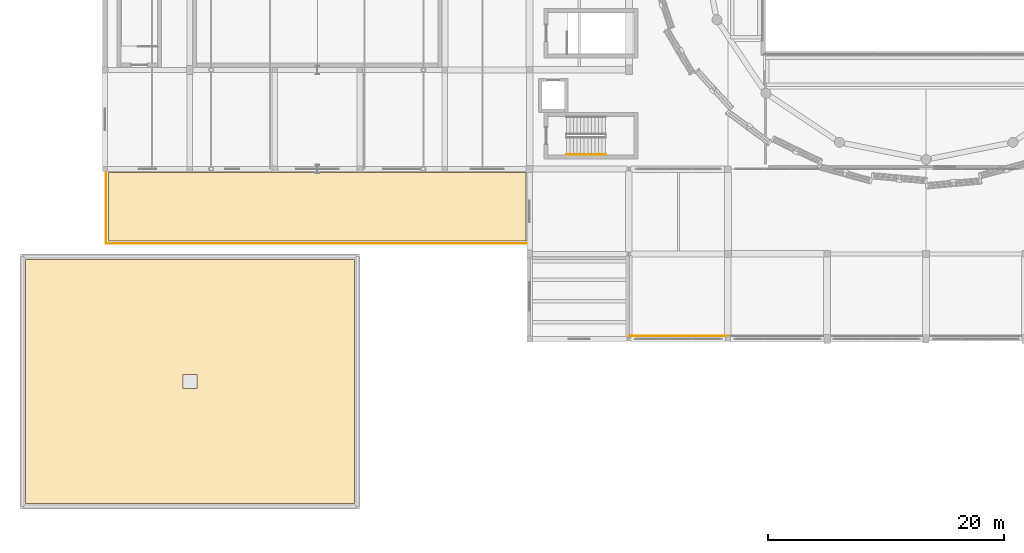
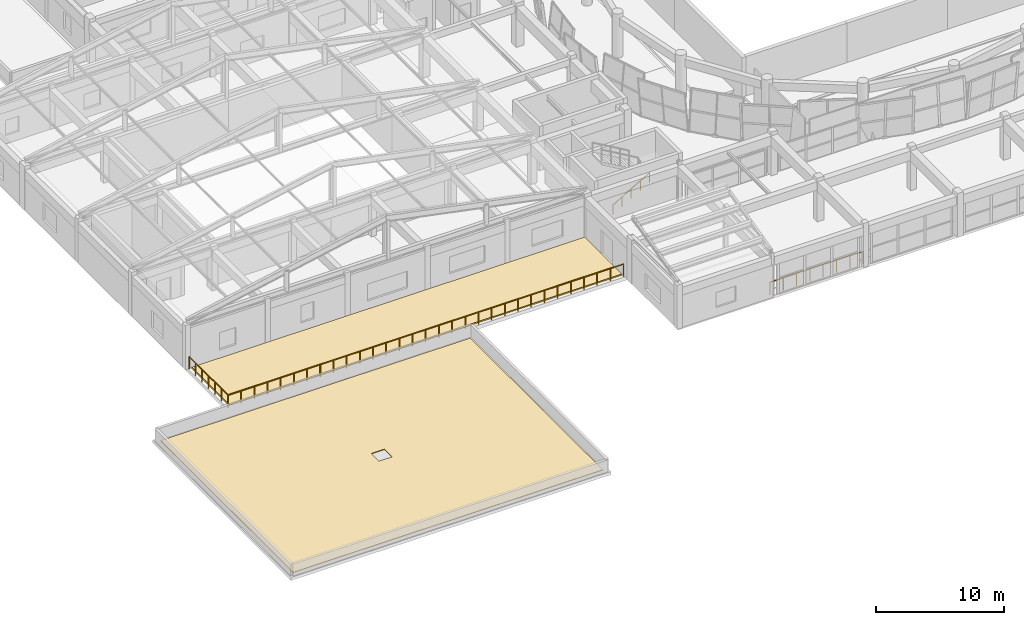
# One storey, part 67 of 74: 3 railings, 2 coverings.
"""IFC4 building model written with IfcOpenShell, lengths in metres."""

from ifc_helpers import new_model, si_unit, direction, frame, origin, origin_2d, place, context, subcontext, project, spatial, polyline, circle, outline, extrude, material, layer, layer_set, type_object, element, save


model = new_model("IFC4")

# Units and contexts
model_context = context("Model", 3, precision=1e-05, world=origin(), true_north=direction((0.0, 1.0)))
body_context = subcontext(model_context, "Body", "Model", "MODEL_VIEW")
ifc_project = project(units=[si_unit("LENGTHUNIT", "METRE"), si_unit("AREAUNIT", "SQUARE_METRE"), si_unit("VOLUMEUNIT", "CUBIC_METRE"), si_unit("PLANEANGLEUNIT", "RADIAN"), si_unit("MASSUNIT", "GRAM", prefix="KILO")], contexts=[model_context])

# Site, building, storey
site_placement = place(None, origin())
site = spatial("IfcSite", under=ifc_project, at=site_placement, CompositionType="ELEMENT")
building_placement = place(site_placement, origin())
building = spatial("IfcBuilding", under=site, at=building_placement, Name="Korsvaeld Concert Hall", CompositionType="ELEMENT")
storey_placement = place(building_placement, frame((0.0, 0.0, 9.0)))
storey = spatial("IfcBuildingStorey", under=building, at=storey_placement, Name="L02", CompositionType="ELEMENT", Elevation=9.0)

# Coverings
ifc_material_1 = material(Name="Patinated Nordic standing-seam copper roofing")
ifc_layer_1 = layer(ifc_material_1, 0.06005859375)
ifc_layer_set_1 = layer_set([ifc_layer_1], Name="Patinated Nordic standing-seam copper roofing")
covering_type_1 = type_object("IfcCoveringType", Name="COV-ROOF-COPPER", PredefinedType="ROOFING", material=ifc_layer_set_1)
covering_1_placement = place(storey_placement, origin())
element("IfcCovering", 1, at=covering_1_placement, inside=storey, type_object=covering_type_1, Name="Patinated Nordic copper roof covering SLB-ROOF_L02_SW", PredefinedType="ROOFING", context=body_context, shape_type="SweptSolid", body=[
    extrude(outline(polyline([(7.64990234375, 14.85009765625), (7.64990234375, 35.550048828125), (35.550048828125, 35.550048828125), (35.550048828125, 14.85009765625), (7.64990234375, 14.85009765625)]), holes=[polyline([(21.0, 24.60009765625), (22.199951171875, 24.60009765625), (22.199951171875, 25.800048828125), (21.0, 25.800048828125), (21.0, 24.60009765625)])]), origin(), (0.0, 0.0, 1.0), 0.06005859375),
])
ifc_material_2 = material(Name="Mughal-garden sedum planted green roof substrate")
ifc_layer_2 = layer(ifc_material_2, 0.1201171875)
ifc_layer_set_2 = layer_set([ifc_layer_2], Name="Mughal-garden sedum planted green roof substrate")
covering_type_2 = type_object("IfcCoveringType", Name="COV-ROOF-GREEN", PredefinedType="ROOFING", material=ifc_layer_set_2)
covering_2_placement = place(storey_placement, origin())
element("IfcCovering", 2, at=covering_2_placement, inside=storey, type_object=covering_type_2, Name="Mughal-garden green roof planting TER_L02_W", PredefinedType="ROOFING", context=body_context, shape_type="SweptSolid", body=[
    extrude(outline(polyline([(50.10009765625, 37.10009765625), (50.10009765625, 42.89990234375), (14.699951171875, 42.89990234375), (14.699951171875, 37.10009765625), (50.10009765625, 37.10009765625)])), origin(), (0.0, 0.0, 1.0), 0.1201171875),
])

# Railings
ifc_material_3 = material(Name="European oak and bronze stair handrail")
railing_type_1 = type_object("IfcRailingType", Name="RL-STAIR-HAND-90", PredefinedType="HANDRAIL", material=ifc_material_3)
railing_1_placement = place(storey_placement, frame((53.52001953125, 44.419921875, 0.175048828125)))
element("IfcRailing", 3, at=railing_1_placement, inside=storey, type_object=railing_type_1, Name="L02 ST-K3 stair handrail 1", PredefinedType="HANDRAIL", context=body_context, shape_type="SweptSolid", body=[
    extrude(circle(Radius=0.02392578125, at=origin_2d()), frame((0.0, 0.0, 0.8759765625), z_axis=(0.863776583165, 0.0, 0.503874998761), x_axis=(0.0, 1.0, 0.0)), (0.0, 0.0, 1.0), 3.820556640625),
    extrude(circle(Radius=0.02099609375, at=origin_2d()), origin(), (0.0, 0.0, 1.0), 0.851806640625),
    extrude(circle(Radius=0.02099609375, at=origin_2d()), frame((0.824951171875, 0.0, 0.481201171875)), (0.0, 0.0, 1.0), 0.851806640625),
    extrude(circle(Radius=0.02099609375, at=origin_2d()), frame((1.64990234375, 0.0, 0.96240234375)), (0.0, 0.0, 1.0), 0.851806640625),
    extrude(circle(Radius=0.02099609375, at=origin_2d()), frame((2.47509765625, 0.0, 1.44384765625)), (0.0, 0.0, 1.0), 0.851806640625),
    extrude(circle(Radius=0.02099609375, at=origin_2d()), frame((3.300048828125, 0.0, 1.925048828125)), (0.0, 0.0, 1.0), 0.851806640625),
])
ifc_material_4 = material(Name="Anodised architectural bronze guardrail")
railing_type_2 = type_object("IfcRailingType", Name="RL-TERR-GUARD-120", PredefinedType="GUARDRAIL", material=ifc_material_4)
railing_2_placement = place(storey_placement, frame((67.199951171875, 29.050048828125, 0.0)))
element("IfcRailing", 4, at=railing_2_placement, inside=storey, type_object=railing_type_2, Name="Wintergarden glazed front guardrail CW-FOY-L02-18", PredefinedType="GUARDRAIL", context=body_context, shape_type="SweptSolid", body=[
    extrude(circle(Radius=0.02392578125, at=origin_2d()), frame((0.0, 0.0, 1.17578125), z_axis=(-1.0, 0.0, 0.0), x_axis=(0.0, -1.0, 0.0)), (0.0, 0.0, 1.0), 8.39990234375),
    extrude(circle(Radius=0.02099609375, at=origin_2d()), origin(), (0.0, 0.0, 1.0), 1.15185546875),
    extrude(circle(Radius=0.02099609375, at=origin_2d()), frame((-1.199951171875, 0.0, 0.0)), (0.0, 0.0, 1.0), 1.15185546875),
    extrude(circle(Radius=0.02099609375, at=origin_2d()), frame((-2.39990234375, 0.0, 0.0)), (0.0, 0.0, 1.0), 1.15185546875),
    extrude(circle(Radius=0.02099609375, at=origin_2d()), frame((-3.599853515625, 0.0, 0.0)), (0.0, 0.0, 1.0), 1.15185546875),
    extrude(circle(Radius=0.02099609375, at=origin_2d()), frame((-4.800048828125, 0.0, 0.0)), (0.0, 0.0, 1.0), 1.15185546875),
    extrude(circle(Radius=0.02099609375, at=origin_2d()), frame((-6.0, 0.0, 0.0)), (0.0, 0.0, 1.0), 1.15185546875),
    extrude(circle(Radius=0.02099609375, at=origin_2d()), frame((-7.199951171875, 0.0, 0.0)), (0.0, 0.0, 1.0), 1.15185546875),
    extrude(circle(Radius=0.02099609375, at=origin_2d()), frame((-8.39990234375, 0.0, 0.0)), (0.0, 0.0, 1.0), 1.15185546875),
])
railing_3_placement = place(storey_placement, frame((14.5, 42.93994140625, 0.0)))
element("IfcRailing", 5, at=railing_3_placement, inside=storey, type_object=railing_type_2, Name="Planted terrace bronze guardrail TER_L02_W", PredefinedType="GUARDRAIL", context=body_context, shape_type="SweptSolid", body=[
    extrude(circle(Radius=0.02392578125, at=origin_2d()), frame((0.0, 0.0, 1.17578125), z_axis=(0.0, -1.0, 0.0), x_axis=(1.0, 0.0, 0.0)), (0.0, 0.0, 1.0), 6.0400390625),
    extrude(circle(Radius=0.02392578125, at=origin_2d()), frame((0.0, -6.0400390625, 1.17578125), z_axis=(1.0, 0.0, 0.0), x_axis=(0.0, 1.0, 0.0)), (0.0, 0.0, 1.0), 35.639892578125),
    extrude(circle(Radius=0.02099609375, at=origin_2d()), origin(), (0.0, 0.0, 1.0), 1.15185546875),
    extrude(circle(Radius=0.02099609375, at=origin_2d()), frame((0.0, -1.006591796875, 0.0)), (0.0, 0.0, 1.0), 1.15185546875),
    extrude(circle(Radius=0.02099609375, at=origin_2d()), frame((0.0, -2.013427734375, 0.0)), (0.0, 0.0, 1.0), 1.15185546875),
    extrude(circle(Radius=0.02099609375, at=origin_2d()), frame((0.0, -3.02001953125, 0.0)), (0.0, 0.0, 1.0), 1.15185546875),
    extrude(circle(Radius=0.02099609375, at=origin_2d()), frame((0.0, -4.026611328125, 0.0)), (0.0, 0.0, 1.0), 1.15185546875),
    extrude(circle(Radius=0.02099609375, at=origin_2d()), frame((0.0, -5.033447265625, 0.0)), (0.0, 0.0, 1.0), 1.15185546875),
    extrude(circle(Radius=0.02099609375, at=origin_2d()), frame((0.0, -6.0400390625, 0.0)), (0.0, 0.0, 1.0), 1.15185546875),
    extrude(circle(Radius=0.02099609375, at=origin_2d()), frame((1.18798828125, -6.0400390625, 0.0)), (0.0, 0.0, 1.0), 1.15185546875),
    extrude(circle(Radius=0.02099609375, at=origin_2d()), frame((2.3759765625, -6.0400390625, 0.0)), (0.0, 0.0, 1.0), 1.15185546875),
    extrude(circle(Radius=0.02099609375, at=origin_2d()), frame((3.56396484375, -6.0400390625, 0.0)), (0.0, 0.0, 1.0), 1.15185546875),
    extrude(circle(Radius=0.02099609375, at=origin_2d()), frame((4.751953125, -6.0400390625, 0.0)), (0.0, 0.0, 1.0), 1.15185546875),
    extrude(circle(Radius=0.02099609375, at=origin_2d()), frame((5.93994140625, -6.0400390625, 0.0)), (0.0, 0.0, 1.0), 1.15185546875),
    extrude(circle(Radius=0.02099609375, at=origin_2d()), frame((7.1279296875, -6.0400390625, 0.0)), (0.0, 0.0, 1.0), 1.15185546875),
    extrude(circle(Radius=0.02099609375, at=origin_2d()), frame((8.31591796875, -6.0400390625, 0.0)), (0.0, 0.0, 1.0), 1.15185546875),
    extrude(circle(Radius=0.02099609375, at=origin_2d()), frame((9.50390625, -6.0400390625, 0.0)), (0.0, 0.0, 1.0), 1.15185546875),
    extrude(circle(Radius=0.02099609375, at=origin_2d()), frame((10.69189453125, -6.0400390625, 0.0)), (0.0, 0.0, 1.0), 1.15185546875),
    extrude(circle(Radius=0.02099609375, at=origin_2d()), frame((11.8798828125, -6.0400390625, 0.0)), (0.0, 0.0, 1.0), 1.15185546875),
    extrude(circle(Radius=0.02099609375, at=origin_2d()), frame((13.06787109375, -6.0400390625, 0.0)), (0.0, 0.0, 1.0), 1.15185546875),
    extrude(circle(Radius=0.02099609375, at=origin_2d()), frame((14.255859375, -6.0400390625, 0.0)), (0.0, 0.0, 1.0), 1.15185546875),
    extrude(circle(Radius=0.02099609375, at=origin_2d()), frame((15.44384765625, -6.0400390625, 0.0)), (0.0, 0.0, 1.0), 1.15185546875),
    extrude(circle(Radius=0.02099609375, at=origin_2d()), frame((16.6318359375, -6.0400390625, 0.0)), (0.0, 0.0, 1.0), 1.15185546875),
    extrude(circle(Radius=0.02099609375, at=origin_2d()), frame((17.81982421875, -6.0400390625, 0.0)), (0.0, 0.0, 1.0), 1.15185546875),
    extrude(circle(Radius=0.02099609375, at=origin_2d()), frame((19.008056640625, -6.0400390625, 0.0)), (0.0, 0.0, 1.0), 1.15185546875),
    extrude(circle(Radius=0.02099609375, at=origin_2d()), frame((20.196044921875, -6.0400390625, 0.0)), (0.0, 0.0, 1.0), 1.15185546875),
    extrude(circle(Radius=0.02099609375, at=origin_2d()), frame((21.384033203125, -6.0400390625, 0.0)), (0.0, 0.0, 1.0), 1.15185546875),
    extrude(circle(Radius=0.02099609375, at=origin_2d()), frame((22.572021484375, -6.0400390625, 0.0)), (0.0, 0.0, 1.0), 1.15185546875),
    extrude(circle(Radius=0.02099609375, at=origin_2d()), frame((23.760009765625, -6.0400390625, 0.0)), (0.0, 0.0, 1.0), 1.15185546875),
    extrude(circle(Radius=0.02099609375, at=origin_2d()), frame((24.947998046875, -6.0400390625, 0.0)), (0.0, 0.0, 1.0), 1.15185546875),
    extrude(circle(Radius=0.02099609375, at=origin_2d()), frame((26.135986328125, -6.0400390625, 0.0)), (0.0, 0.0, 1.0), 1.15185546875),
    extrude(circle(Radius=0.02099609375, at=origin_2d()), frame((27.323974609375, -6.0400390625, 0.0)), (0.0, 0.0, 1.0), 1.15185546875),
    extrude(circle(Radius=0.02099609375, at=origin_2d()), frame((28.511962890625, -6.0400390625, 0.0)), (0.0, 0.0, 1.0), 1.15185546875),
    extrude(circle(Radius=0.02099609375, at=origin_2d()), frame((29.699951171875, -6.0400390625, 0.0)), (0.0, 0.0, 1.0), 1.15185546875),
    extrude(circle(Radius=0.02099609375, at=origin_2d()), frame((30.887939453125, -6.0400390625, 0.0)), (0.0, 0.0, 1.0), 1.15185546875),
    extrude(circle(Radius=0.02099609375, at=origin_2d()), frame((32.075927734375, -6.0400390625, 0.0)), (0.0, 0.0, 1.0), 1.15185546875),
    extrude(circle(Radius=0.02099609375, at=origin_2d()), frame((33.263916015625, -6.0400390625, 0.0)), (0.0, 0.0, 1.0), 1.15185546875),
    extrude(circle(Radius=0.02099609375, at=origin_2d()), frame((34.451904296875, -6.0400390625, 0.0)), (0.0, 0.0, 1.0), 1.15185546875),
    extrude(circle(Radius=0.02099609375, at=origin_2d()), frame((35.639892578125, -6.0400390625, 0.0)), (0.0, 0.0, 1.0), 1.15185546875),
])

save(model, "model.ifc")
